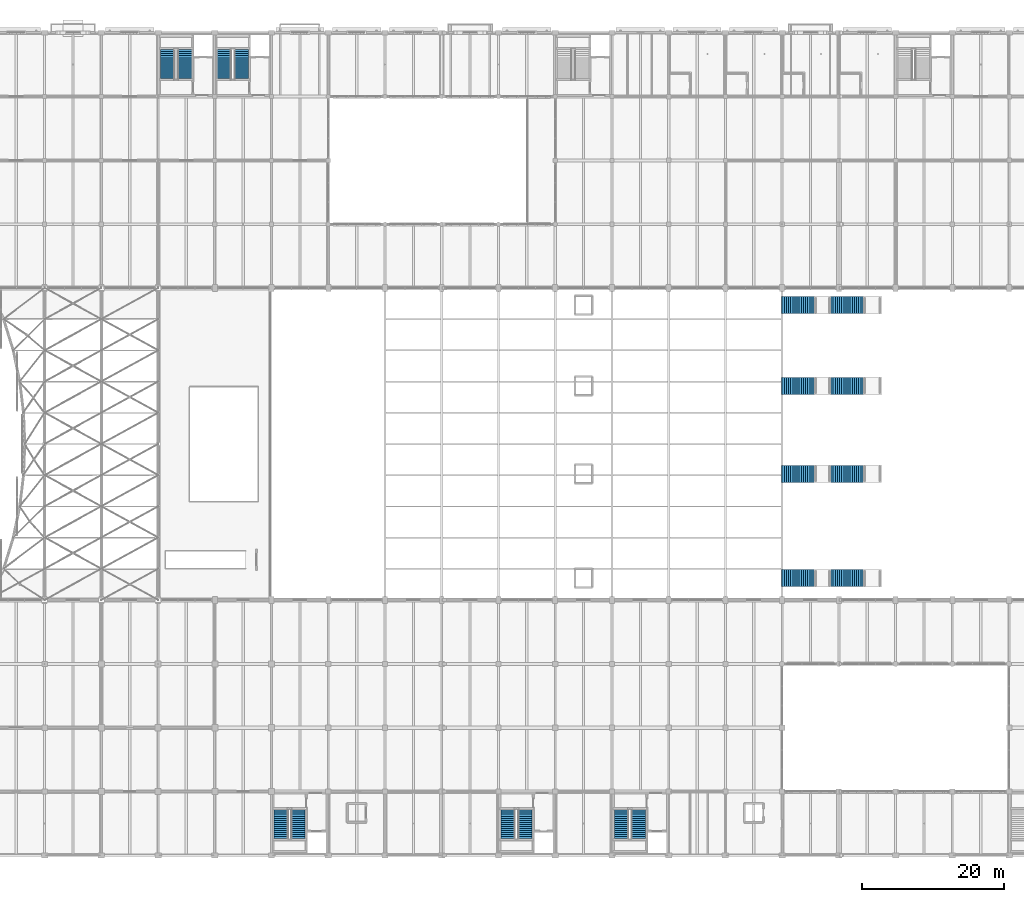
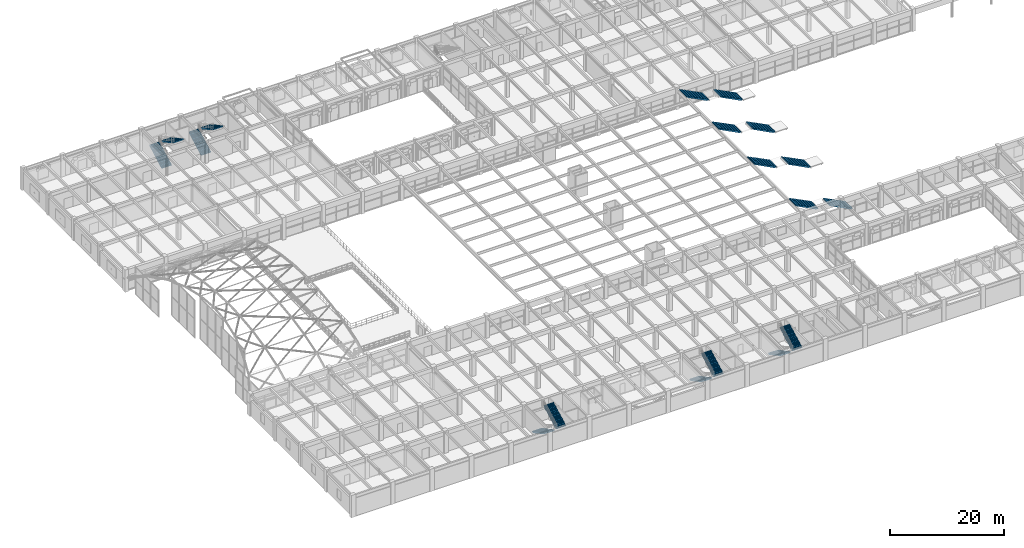
# One storey, part 114 of 144: 18 stair flights, 9 elements without a shape of their own.
"""IFC4 building model written with IfcOpenShell, lengths in metres."""

import ifcopenshell
import ifcopenshell.guid

model = None  # the IFC model being written
_history = None  # IfcOwnerHistory: only IFC2X3 demands one
_inside = {}  # id of a spatial element -> (the spatial element, [elements in it])
_under = {}  # id of a project, library or spatial element -> (it, [spatial elements below it])
_declared = {}  # id of a project -> (the project, [libraries it declares])
_typed = {}  # id of a type object -> (the type object, [elements of that type])
_made_of = {}  # id of a material, layer set ... -> (it, [elements and type objects made of it])


def new_model(schema):
    """Start an empty IFC model of exactly this schema.

    Asked for "IFC4X3", IfcOpenShell would pick the latest addendum, in which some entities
    have other attributes; the version numbers below select the first issue.
    IFC2X3 requires an IfcOwnerHistory on every rooted entity: one is made here for all.
    """
    global model, _history
    if schema == "IFC4X3":
        model = ifcopenshell.file(schema_version=(4, 3, 0, 0))
    else:
        model = ifcopenshell.file(schema=schema)
    _inside.clear()
    _under.clear()
    _declared.clear()
    _typed.clear()
    _made_of.clear()
    _history = None
    if model.schema == "IFC2X3":
        org = make("IfcOrganization", Name="unknown")
        user = make(
            "IfcPersonAndOrganization",
            ThePerson=make("IfcPerson", FamilyName="unknown"),
            TheOrganization=org,
        )
        app = make(
            "IfcApplication",
            ApplicationDeveloper=org,
            Version="unknown",
            ApplicationFullName="unknown",
            ApplicationIdentifier="unknown",
        )
        _history = make(
            "IfcOwnerHistory",
            OwningUser=user,
            OwningApplication=app,
            ChangeAction="ADDED",
            CreationDate=0,
        )
    return model


def make(cls, **values):
    """One entity of the class cls with the attributes given. An attribute that is None is left unset."""
    return model.create_entity(
        cls, **{name: value for name, value in values.items() if value is not None}
    )


def rooted(cls, **values):
    """An entity with a GlobalId (a new one), such as an element, a storey or a relation."""
    return make(cls, GlobalId=ifcopenshell.guid.new(), OwnerHistory=_history, **values)


def si_unit(unit_type, name, prefix=None):
    """IfcSIUnit, for example si_unit("LENGTHUNIT", "METRE", prefix="MILLI")."""
    return make("IfcSIUnit", UnitType=unit_type, Prefix=prefix, Name=name)


def assignment(units):
    """IfcUnitAssignment: the units of a project."""
    return None if units is None else make("IfcUnitAssignment", Units=units)


def point(xyz):
    """IfcCartesianPoint."""
    return None if xyz is None else make("IfcCartesianPoint", Coordinates=xyz)


def direction(xyz):
    """IfcDirection."""
    return None if xyz is None else make("IfcDirection", DirectionRatios=xyz)


def frame(location, z_axis=None, x_axis=None):
    """IfcAxis2Placement3D, a coordinate frame: its origin and axes. An axis left out is left unset."""
    return make(
        "IfcAxis2Placement3D",
        Location=point(location),
        Axis=direction(z_axis),
        RefDirection=direction(x_axis),
    )


def origin():
    """The frame at (0, 0, 0) with its axes left unset."""
    return frame((0.0, 0.0, 0.0))


def place(relative_to, where):
    """IfcLocalPlacement: puts the frame where relative to a parent placement (None: the world)."""
    return make(
        "IfcLocalPlacement", PlacementRelTo=relative_to, RelativePlacement=where
    )


def context(
    kind, dimensions, precision=None, world=None, true_north=None, identifier=None
):
    """IfcGeometricRepresentationContext, for example the 3D "Model" context."""
    return make(
        "IfcGeometricRepresentationContext",
        ContextIdentifier=identifier,
        ContextType=kind,
        CoordinateSpaceDimension=dimensions,
        Precision=precision,
        WorldCoordinateSystem=world,
        TrueNorth=true_north,
    )


def subcontext(parent, identifier, kind, view, scale=None):
    """IfcGeometricRepresentationSubContext, for example "Body" below "Model"."""
    return make(
        "IfcGeometricRepresentationSubContext",
        ContextIdentifier=identifier,
        ContextType=kind,
        ParentContext=parent,
        TargetScale=scale,
        TargetView=view,
    )


def project(units=None, contexts=None):
    """IfcProject with its units and contexts."""
    return rooted(
        "IfcProject",
        Name="project",
        RepresentationContexts=contexts,
        UnitsInContext=assignment(units),
    )


def spatial(cls, under=None, at=None, **own):
    """A site, building, storey or space (cls), placed at a placement, below another one or the project."""
    s = rooted(cls, ObjectPlacement=at, **own)
    if under is not None:
        _under.setdefault(under.id(), (under, []))[1].append(s)
    return s


def polyline(points):
    """IfcPolyline through the points."""
    return make("IfcPolyline", Points=[point(p) for p in points])


def outline(outer, holes=None, kind="AREA"):
    """IfcArbitraryClosedProfileDef: a profile drawn as a closed curve; with holes, ...WithVoids."""
    if holes is None:
        return make("IfcArbitraryClosedProfileDef", ProfileType=kind, OuterCurve=outer)
    return make(
        "IfcArbitraryProfileDefWithVoids",
        ProfileType=kind,
        OuterCurve=outer,
        InnerCurves=holes,
    )


def extrude(swept, where, along, depth):
    """IfcExtrudedAreaSolid: the profile swept, set in the frame where, extruded along a direction by depth."""
    return make(
        "IfcExtrudedAreaSolid",
        SweptArea=swept,
        Position=where,
        ExtrudedDirection=direction(along),
        Depth=depth,
    )


def shape(context_of_items, identifier, shape_type, items):
    """IfcShapeRepresentation: the items that make up one representation, for example the "Body"."""
    return make(
        "IfcShapeRepresentation",
        ContextOfItems=context_of_items,
        RepresentationIdentifier=identifier,
        RepresentationType=shape_type,
        Items=items,
    )


def material(Name=None, Category=None):
    """IfcMaterial."""
    return make("IfcMaterial", Name=Name, Category=Category)


def made_of(thing, what):
    """Note that an element or type object is made of a material, layer set ...; save() writes the relation."""
    if what is not None:
        _made_of.setdefault(what.id(), (what, []))[1].append(thing)
    return thing


def type_object(cls, material=None, **own):
    """A type object (cls), such as IfcWallType, which elements share."""
    return made_of(rooted(cls, **own), material)


def element(
    cls,
    number,
    at=None,
    inside=None,
    cuts=None,
    type_object=None,
    material=None,
    context=None,
    identifier="Body",
    shape_type=None,
    held_by="IfcProductDefinitionShape",
    body=None,
    shapes=None,
    **own,
):
    """One element of the class cls, such as IfcWall. Its Tag is "e" and its number.

    at: its placement. inside: the storey or other place that contains it. cuts: it is an
    opening in that element (IfcRelVoidsElement). A single representation is given by context,
    identifier, shape_type and body (its items); several are given by shapes. held_by: the class
    of the entity that holds the representations. save() writes the other relations.
    """
    e = rooted(cls, Tag="e%d" % number, ObjectPlacement=at, **own)
    if body is not None:
        shapes = [shape(context, identifier, shape_type, body)]
    if shapes is not None:
        e.Representation = make(held_by, Representations=shapes)
    if inside is not None:
        _inside.setdefault(inside.id(), (inside, []))[1].append(e)
    if cuts is not None:
        rooted(
            "IfcRelVoidsElement", RelatingBuildingElement=cuts, RelatedOpeningElement=e
        )
    if type_object is not None:
        _typed.setdefault(type_object.id(), (type_object, []))[1].append(e)
    return made_of(e, material)


def aggregate(whole, parts):
    """IfcRelAggregates: a whole, such as a stair, and the parts it consists of."""
    return rooted("IfcRelAggregates", RelatingObject=whole, RelatedObjects=parts)


def save(model, path):
    """Write the relations noted so far, then the file.

    IfcRelAggregates (storeys below a building ...), IfcRelContainedInSpatialStructure (elements
    in a storey), IfcRelDefinesByType, IfcRelAssociatesMaterial and IfcRelDeclares: one each for
    every whole, place, type object, material and project.
    """
    for whole, parts in _under.values():
        aggregate(whole, parts)
    for where, things in _inside.values():
        rooted(
            "IfcRelContainedInSpatialStructure",
            RelatedElements=things,
            RelatingStructure=where,
        )
    for kind, things in _typed.values():
        rooted("IfcRelDefinesByType", RelatedObjects=things, RelatingType=kind)
    for what, things in _made_of.values():
        rooted("IfcRelAssociatesMaterial", RelatedObjects=things, RelatingMaterial=what)
    for by, libraries in _declared.values():
        rooted("IfcRelDeclares", RelatingContext=by, RelatedDefinitions=libraries)
    model.write(path)


model = new_model("IFC4")

# Units and contexts
model_context = context("Model", 3, precision=1e-05, world=origin(), true_north=direction((0.0, 1.0)))
body_context = subcontext(model_context, "Body", "Model", "MODEL_VIEW")
ifc_project = project(units=[si_unit("LENGTHUNIT", "METRE"), si_unit("AREAUNIT", "SQUARE_METRE"), si_unit("VOLUMEUNIT", "CUBIC_METRE"), si_unit("PLANEANGLEUNIT", "RADIAN"), si_unit("MASSUNIT", "GRAM", prefix="KILO")], contexts=[model_context])

# Site, building, storey
site_placement = place(None, origin())
site = spatial("IfcSite", under=ifc_project, at=site_placement, CompositionType="ELEMENT")
building_placement = place(site_placement, origin())
building = spatial("IfcBuilding", under=site, at=building_placement, Name="Varnabhumi Central Station", CompositionType="ELEMENT")
storey_placement = place(building_placement, frame((0.0, 0.0, 4.800048828125)))
storey = spatial("IfcBuildingStorey", under=building, at=storey_placement, Name="L01", CompositionType="ELEMENT", Elevation=4.800048828125)

# Stair, stair flights
ifc_material = material(Name="Concrete M40", Category="concrete")
stair_type_1 = type_object("IfcStairType", Name="STR-CORE-4800", PredefinedType="DOUBLE_RETURN_STAIR", material=ifc_material)
stair_1_placement = place(storey_placement, origin())
stair_1 = element("IfcStair", 1, at=stair_1_placement, inside=storey, type_object=stair_type_1, Name="Core Stair ST-N1 (L01)", PredefinedType="DOUBLE_RETURN_STAIR")
stair_flight_type_1 = type_object("IfcStairFlightType", Name="FLT-CORE-1500", PredefinedType="STRAIGHT", material=ifc_material)
stair_flight_1_placement = place(storey_placement, frame((25.35009765625, 109.340087890625, 0.0), z_axis=(0.0, 0.0, 1.0), x_axis=(0.0, 1.0, 0.0)))
stair_flight_1 = element("IfcStairFlight", 2, at=stair_flight_1_placement, type_object=stair_flight_type_1, Name="ST-N1 L01 Lower Flight", NumberOfRisers=16, NumberOfTreads=15, PredefinedType="STRAIGHT", RiserHeight=0.15, TreadLength=0.285, context=body_context, shape_type="SweptSolid", body=[
    extrude(outline(polyline([(-0.06005859375, -0.080078125), (-0.06005859375, 0.0), (0.0, 0.0), (0.0, 0.14990234375), (0.284912109375, 0.14990234375), (0.284912109375, 0.300048828125), (0.570068359375, 0.300048828125), (0.570068359375, 0.449951171875), (0.85498046875, 0.449951171875), (0.85498046875, 0.60009765625), (1.139892578125, 0.60009765625), (1.139892578125, 0.75), (1.425048828125, 0.75), (1.425048828125, 0.89990234375), (1.7099609375, 0.89990234375), (1.7099609375, 1.050048828125), (1.9951171875, 1.050048828125), (1.9951171875, 1.199951171875), (2.280029296875, 1.199951171875), (2.280029296875, 1.35009765625), (2.56494140625, 1.35009765625), (2.56494140625, 1.5), (2.85009765625, 1.5), (2.85009765625, 1.64990234375), (3.135009765625, 1.64990234375), (3.135009765625, 1.800048828125), (3.419921875, 1.800048828125), (3.419921875, 1.949951171875), (3.705078125, 1.949951171875), (3.705078125, 2.10009765625), (3.989990234375, 2.10009765625), (3.989990234375, 2.25), (4.27490234375, 2.25), (4.27490234375, 2.39990234375), (4.3349609375, 2.39990234375), (4.3349609375, 2.239990234375), (4.27490234375, 2.0693359375), (0.34326171875, -0.080078125), (-0.06005859375, -0.080078125)])), frame((0.0, 1.0, 0.0), z_axis=(0.0, -1.0, 0.0), x_axis=(1.0, 0.0, 0.0)), (0.0, 0.0, 1.0), 2.0),
])
stair_flight_2_placement = place(storey_placement, frame((27.75, 113.614990234375, 2.39990234375), z_axis=(0.0, 0.0, 1.0), x_axis=(0.0, -1.0, 0.0)))
stair_flight_2 = element("IfcStairFlight", 3, at=stair_flight_2_placement, type_object=stair_flight_type_1, Name="ST-N1 L01 Upper Flight", NumberOfRisers=16, NumberOfTreads=15, PredefinedType="STRAIGHT", RiserHeight=0.15, TreadLength=0.285, context=body_context, shape_type="SweptSolid", body=[
    extrude(outline(polyline([(-0.06005859375, -0.080078125), (-0.06005859375, 0.0), (0.0, 0.0), (0.0, 0.14990234375), (0.284912109375, 0.14990234375), (0.284912109375, 0.300048828125), (0.570068359375, 0.300048828125), (0.570068359375, 0.449951171875), (0.85498046875, 0.449951171875), (0.85498046875, 0.60009765625), (1.139892578125, 0.60009765625), (1.139892578125, 0.75), (1.425048828125, 0.75), (1.425048828125, 0.89990234375), (1.7099609375, 0.89990234375), (1.7099609375, 1.050048828125), (1.9951171875, 1.050048828125), (1.9951171875, 1.199951171875), (2.280029296875, 1.199951171875), (2.280029296875, 1.35009765625), (2.56494140625, 1.35009765625), (2.56494140625, 1.5), (2.85009765625, 1.5), (2.85009765625, 1.64990234375), (3.135009765625, 1.64990234375), (3.135009765625, 1.800048828125), (3.419921875, 1.800048828125), (3.419921875, 1.949951171875), (3.705078125, 1.949951171875), (3.705078125, 2.10009765625), (3.989990234375, 2.10009765625), (3.989990234375, 2.25), (4.27490234375, 2.25), (4.27490234375, 2.39990234375), (4.3349609375, 2.39990234375), (4.3349609375, 2.239990234375), (4.27490234375, 2.0693359375), (0.34326171875, -0.080078125), (-0.06005859375, -0.080078125)])), frame((0.0, 1.0, 0.0), z_axis=(0.0, -1.0, 0.0), x_axis=(1.0, 0.0, 0.0)), (0.0, 0.0, 1.0), 2.0),
])
aggregate(stair_1, [stair_flight_1, stair_flight_2])

stair_2_placement = place(storey_placement, origin())
stair_2 = element("IfcStair", 4, at=stair_2_placement, inside=storey, type_object=stair_type_1, Name="Core Stair ST-S1 (L01)", PredefinedType="DOUBLE_RETURN_STAIR")
stair_flight_3_placement = place(storey_placement, frame((41.35009765625, 6.659912109375, 0.0), z_axis=(0.0, 0.0, 1.0), x_axis=(0.0, -1.0, 0.0)))
stair_flight_3 = element("IfcStairFlight", 5, at=stair_flight_3_placement, type_object=stair_flight_type_1, Name="ST-S1 L01 Lower Flight", NumberOfRisers=16, NumberOfTreads=15, PredefinedType="STRAIGHT", RiserHeight=0.15, TreadLength=0.285, context=body_context, shape_type="SweptSolid", body=[
    extrude(outline(polyline([(-0.06005859375, -0.080078125), (-0.06005859375, 0.0), (0.0, 0.0), (0.0, 0.14990234375), (0.284912109375, 0.14990234375), (0.284912109375, 0.300048828125), (0.570068359375, 0.300048828125), (0.570068359375, 0.449951171875), (0.85498046875, 0.449951171875), (0.85498046875, 0.60009765625), (1.139892578125, 0.60009765625), (1.139892578125, 0.75), (1.425048828125, 0.75), (1.425048828125, 0.89990234375), (1.7099609375, 0.89990234375), (1.7099609375, 1.050048828125), (1.9951171875, 1.050048828125), (1.9951171875, 1.199951171875), (2.280029296875, 1.199951171875), (2.280029296875, 1.35009765625), (2.56494140625, 1.35009765625), (2.56494140625, 1.5), (2.85009765625, 1.5), (2.85009765625, 1.64990234375), (3.135009765625, 1.64990234375), (3.135009765625, 1.800048828125), (3.419921875, 1.800048828125), (3.419921875, 1.949951171875), (3.705078125, 1.949951171875), (3.705078125, 2.10009765625), (3.989990234375, 2.10009765625), (3.989990234375, 2.25), (4.27490234375, 2.25), (4.27490234375, 2.39990234375), (4.3349609375, 2.39990234375), (4.3349609375, 2.239990234375), (4.27490234375, 2.0693359375), (0.34326171875, -0.080078125), (-0.06005859375, -0.080078125)])), frame((0.0, 1.0, 0.0), z_axis=(0.0, -1.0, 0.0), x_axis=(1.0, 0.0, 0.0)), (0.0, 0.0, 1.0), 2.0),
])
stair_flight_4_placement = place(storey_placement, frame((43.75, 2.385009765625, 2.39990234375), z_axis=(0.0, 0.0, 1.0), x_axis=(0.0, 1.0, 0.0)))
stair_flight_4 = element("IfcStairFlight", 6, at=stair_flight_4_placement, type_object=stair_flight_type_1, Name="ST-S1 L01 Upper Flight", NumberOfRisers=16, NumberOfTreads=15, PredefinedType="STRAIGHT", RiserHeight=0.15, TreadLength=0.285, context=body_context, shape_type="SweptSolid", body=[
    extrude(outline(polyline([(-0.06005859375, -0.080078125), (-0.06005859375, 0.0), (0.0, 0.0), (0.0, 0.14990234375), (0.284912109375, 0.14990234375), (0.284912109375, 0.300048828125), (0.570068359375, 0.300048828125), (0.570068359375, 0.449951171875), (0.85498046875, 0.449951171875), (0.85498046875, 0.60009765625), (1.139892578125, 0.60009765625), (1.139892578125, 0.75), (1.425048828125, 0.75), (1.425048828125, 0.89990234375), (1.7099609375, 0.89990234375), (1.7099609375, 1.050048828125), (1.9951171875, 1.050048828125), (1.9951171875, 1.199951171875), (2.280029296875, 1.199951171875), (2.280029296875, 1.35009765625), (2.56494140625, 1.35009765625), (2.56494140625, 1.5), (2.85009765625, 1.5), (2.85009765625, 1.64990234375), (3.135009765625, 1.64990234375), (3.135009765625, 1.800048828125), (3.419921875, 1.800048828125), (3.419921875, 1.949951171875), (3.705078125, 1.949951171875), (3.705078125, 2.10009765625), (3.989990234375, 2.10009765625), (3.989990234375, 2.25), (4.27490234375, 2.25), (4.27490234375, 2.39990234375), (4.3349609375, 2.39990234375), (4.3349609375, 2.239990234375), (4.27490234375, 2.0693359375), (0.34326171875, -0.080078125), (-0.06005859375, -0.080078125)])), frame((0.0, 1.0, 0.0), z_axis=(0.0, -1.0, 0.0), x_axis=(1.0, 0.0, 0.0)), (0.0, 0.0, 1.0), 2.0),
])
aggregate(stair_2, [stair_flight_3, stair_flight_4])

stair_3_placement = place(storey_placement, origin())
stair_3 = element("IfcStair", 7, at=stair_3_placement, inside=storey, type_object=stair_type_1, Name="Core Stair ST-S2 (L01)", PredefinedType="DOUBLE_RETURN_STAIR")
stair_flight_5_placement = place(storey_placement, frame((89.35009765625, 6.659912109375, 0.0), z_axis=(0.0, 0.0, 1.0), x_axis=(0.0, -1.0, 0.0)))
stair_flight_5 = element("IfcStairFlight", 8, at=stair_flight_5_placement, type_object=stair_flight_type_1, Name="ST-S2 L01 Lower Flight", NumberOfRisers=16, NumberOfTreads=15, PredefinedType="STRAIGHT", RiserHeight=0.15, TreadLength=0.285, context=body_context, shape_type="SweptSolid", body=[
    extrude(outline(polyline([(-0.06005859375, -0.080078125), (-0.06005859375, 0.0), (0.0, 0.0), (0.0, 0.14990234375), (0.284912109375, 0.14990234375), (0.284912109375, 0.300048828125), (0.570068359375, 0.300048828125), (0.570068359375, 0.449951171875), (0.85498046875, 0.449951171875), (0.85498046875, 0.60009765625), (1.139892578125, 0.60009765625), (1.139892578125, 0.75), (1.425048828125, 0.75), (1.425048828125, 0.89990234375), (1.7099609375, 0.89990234375), (1.7099609375, 1.050048828125), (1.9951171875, 1.050048828125), (1.9951171875, 1.199951171875), (2.280029296875, 1.199951171875), (2.280029296875, 1.35009765625), (2.56494140625, 1.35009765625), (2.56494140625, 1.5), (2.85009765625, 1.5), (2.85009765625, 1.64990234375), (3.135009765625, 1.64990234375), (3.135009765625, 1.800048828125), (3.419921875, 1.800048828125), (3.419921875, 1.949951171875), (3.705078125, 1.949951171875), (3.705078125, 2.10009765625), (3.989990234375, 2.10009765625), (3.989990234375, 2.25), (4.27490234375, 2.25), (4.27490234375, 2.39990234375), (4.3349609375, 2.39990234375), (4.3349609375, 2.239990234375), (4.27490234375, 2.0693359375), (0.34326171875, -0.080078125), (-0.06005859375, -0.080078125)])), frame((0.0, 1.0, 0.0), z_axis=(0.0, -1.0, 0.0), x_axis=(1.0, 0.0, 0.0)), (0.0, 0.0, 1.0), 2.0),
])
stair_flight_6_placement = place(storey_placement, frame((91.75, 2.385009765625, 2.39990234375), z_axis=(0.0, 0.0, 1.0), x_axis=(0.0, 1.0, 0.0)))
stair_flight_6 = element("IfcStairFlight", 9, at=stair_flight_6_placement, type_object=stair_flight_type_1, Name="ST-S2 L01 Upper Flight", NumberOfRisers=16, NumberOfTreads=15, PredefinedType="STRAIGHT", RiserHeight=0.15, TreadLength=0.285, context=body_context, shape_type="SweptSolid", body=[
    extrude(outline(polyline([(-0.06005859375, -0.080078125), (-0.06005859375, 0.0), (0.0, 0.0), (0.0, 0.14990234375), (0.284912109375, 0.14990234375), (0.284912109375, 0.300048828125), (0.570068359375, 0.300048828125), (0.570068359375, 0.449951171875), (0.85498046875, 0.449951171875), (0.85498046875, 0.60009765625), (1.139892578125, 0.60009765625), (1.139892578125, 0.75), (1.425048828125, 0.75), (1.425048828125, 0.89990234375), (1.7099609375, 0.89990234375), (1.7099609375, 1.050048828125), (1.9951171875, 1.050048828125), (1.9951171875, 1.199951171875), (2.280029296875, 1.199951171875), (2.280029296875, 1.35009765625), (2.56494140625, 1.35009765625), (2.56494140625, 1.5), (2.85009765625, 1.5), (2.85009765625, 1.64990234375), (3.135009765625, 1.64990234375), (3.135009765625, 1.800048828125), (3.419921875, 1.800048828125), (3.419921875, 1.949951171875), (3.705078125, 1.949951171875), (3.705078125, 2.10009765625), (3.989990234375, 2.10009765625), (3.989990234375, 2.25), (4.27490234375, 2.25), (4.27490234375, 2.39990234375), (4.3349609375, 2.39990234375), (4.3349609375, 2.239990234375), (4.27490234375, 2.0693359375), (0.34326171875, -0.080078125), (-0.06005859375, -0.080078125)])), frame((0.0, 1.0, 0.0), z_axis=(0.0, -1.0, 0.0), x_axis=(1.0, 0.0, 0.0)), (0.0, 0.0, 1.0), 2.0),
])
aggregate(stair_3, [stair_flight_5, stair_flight_6])

stair_4_placement = place(storey_placement, origin())
stair_4 = element("IfcStair", 10, at=stair_4_placement, inside=storey, type_object=stair_type_1, Name="Core Stair ST-N4 (L01)", PredefinedType="DOUBLE_RETURN_STAIR")
stair_flight_7_placement = place(storey_placement, frame((33.35009765625, 109.340087890625, 0.0), z_axis=(0.0, 0.0, 1.0), x_axis=(0.0, 1.0, 0.0)))
stair_flight_7 = element("IfcStairFlight", 11, at=stair_flight_7_placement, type_object=stair_flight_type_1, Name="ST-N4 L01 Lower Flight", NumberOfRisers=16, NumberOfTreads=15, PredefinedType="STRAIGHT", RiserHeight=0.15, TreadLength=0.285, context=body_context, shape_type="SweptSolid", body=[
    extrude(outline(polyline([(-0.06005859375, -0.080078125), (-0.06005859375, 0.0), (0.0, 0.0), (0.0, 0.14990234375), (0.284912109375, 0.14990234375), (0.284912109375, 0.300048828125), (0.570068359375, 0.300048828125), (0.570068359375, 0.449951171875), (0.85498046875, 0.449951171875), (0.85498046875, 0.60009765625), (1.139892578125, 0.60009765625), (1.139892578125, 0.75), (1.425048828125, 0.75), (1.425048828125, 0.89990234375), (1.7099609375, 0.89990234375), (1.7099609375, 1.050048828125), (1.9951171875, 1.050048828125), (1.9951171875, 1.199951171875), (2.280029296875, 1.199951171875), (2.280029296875, 1.35009765625), (2.56494140625, 1.35009765625), (2.56494140625, 1.5), (2.85009765625, 1.5), (2.85009765625, 1.64990234375), (3.135009765625, 1.64990234375), (3.135009765625, 1.800048828125), (3.419921875, 1.800048828125), (3.419921875, 1.949951171875), (3.705078125, 1.949951171875), (3.705078125, 2.10009765625), (3.989990234375, 2.10009765625), (3.989990234375, 2.25), (4.27490234375, 2.25), (4.27490234375, 2.39990234375), (4.3349609375, 2.39990234375), (4.3349609375, 2.239990234375), (4.27490234375, 2.0693359375), (0.34326171875, -0.080078125), (-0.06005859375, -0.080078125)])), frame((0.0, 1.0, 0.0), z_axis=(0.0, -1.0, 0.0), x_axis=(1.0, 0.0, 0.0)), (0.0, 0.0, 1.0), 2.0),
])
stair_flight_8_placement = place(storey_placement, frame((35.75, 113.614990234375, 2.39990234375), z_axis=(0.0, 0.0, 1.0), x_axis=(0.0, -1.0, 0.0)))
stair_flight_8 = element("IfcStairFlight", 12, at=stair_flight_8_placement, type_object=stair_flight_type_1, Name="ST-N4 L01 Upper Flight", NumberOfRisers=16, NumberOfTreads=15, PredefinedType="STRAIGHT", RiserHeight=0.15, TreadLength=0.285, context=body_context, shape_type="SweptSolid", body=[
    extrude(outline(polyline([(-0.06005859375, -0.080078125), (-0.06005859375, 0.0), (0.0, 0.0), (0.0, 0.14990234375), (0.284912109375, 0.14990234375), (0.284912109375, 0.300048828125), (0.570068359375, 0.300048828125), (0.570068359375, 0.449951171875), (0.85498046875, 0.449951171875), (0.85498046875, 0.60009765625), (1.139892578125, 0.60009765625), (1.139892578125, 0.75), (1.425048828125, 0.75), (1.425048828125, 0.89990234375), (1.7099609375, 0.89990234375), (1.7099609375, 1.050048828125), (1.9951171875, 1.050048828125), (1.9951171875, 1.199951171875), (2.280029296875, 1.199951171875), (2.280029296875, 1.35009765625), (2.56494140625, 1.35009765625), (2.56494140625, 1.5), (2.85009765625, 1.5), (2.85009765625, 1.64990234375), (3.135009765625, 1.64990234375), (3.135009765625, 1.800048828125), (3.419921875, 1.800048828125), (3.419921875, 1.949951171875), (3.705078125, 1.949951171875), (3.705078125, 2.10009765625), (3.989990234375, 2.10009765625), (3.989990234375, 2.25), (4.27490234375, 2.25), (4.27490234375, 2.39990234375), (4.3349609375, 2.39990234375), (4.3349609375, 2.239990234375), (4.27490234375, 2.0693359375), (0.34326171875, -0.080078125), (-0.06005859375, -0.080078125)])), frame((0.0, 1.0, 0.0), z_axis=(0.0, -1.0, 0.0), x_axis=(1.0, 0.0, 0.0)), (0.0, 0.0, 1.0), 2.0),
])
aggregate(stair_4, [stair_flight_7, stair_flight_8])

stair_5_placement = place(storey_placement, origin())
stair_5 = element("IfcStair", 13, at=stair_5_placement, inside=storey, type_object=stair_type_1, Name="Core Stair ST-S4 (L01)", PredefinedType="DOUBLE_RETURN_STAIR")
stair_flight_9_placement = place(storey_placement, frame((73.35009765625, 6.659912109375, 0.0), z_axis=(0.0, 0.0, 1.0), x_axis=(0.0, -1.0, 0.0)))
stair_flight_9 = element("IfcStairFlight", 14, at=stair_flight_9_placement, type_object=stair_flight_type_1, Name="ST-S4 L01 Lower Flight", NumberOfRisers=16, NumberOfTreads=15, PredefinedType="STRAIGHT", RiserHeight=0.15, TreadLength=0.285, context=body_context, shape_type="SweptSolid", body=[
    extrude(outline(polyline([(-0.06005859375, -0.080078125), (-0.06005859375, 0.0), (0.0, 0.0), (0.0, 0.14990234375), (0.284912109375, 0.14990234375), (0.284912109375, 0.300048828125), (0.570068359375, 0.300048828125), (0.570068359375, 0.449951171875), (0.85498046875, 0.449951171875), (0.85498046875, 0.60009765625), (1.139892578125, 0.60009765625), (1.139892578125, 0.75), (1.425048828125, 0.75), (1.425048828125, 0.89990234375), (1.7099609375, 0.89990234375), (1.7099609375, 1.050048828125), (1.9951171875, 1.050048828125), (1.9951171875, 1.199951171875), (2.280029296875, 1.199951171875), (2.280029296875, 1.35009765625), (2.56494140625, 1.35009765625), (2.56494140625, 1.5), (2.85009765625, 1.5), (2.85009765625, 1.64990234375), (3.135009765625, 1.64990234375), (3.135009765625, 1.800048828125), (3.419921875, 1.800048828125), (3.419921875, 1.949951171875), (3.705078125, 1.949951171875), (3.705078125, 2.10009765625), (3.989990234375, 2.10009765625), (3.989990234375, 2.25), (4.27490234375, 2.25), (4.27490234375, 2.39990234375), (4.3349609375, 2.39990234375), (4.3349609375, 2.239990234375), (4.27490234375, 2.0693359375), (0.34326171875, -0.080078125), (-0.06005859375, -0.080078125)])), frame((0.0, 1.0, 0.0), z_axis=(0.0, -1.0, 0.0), x_axis=(1.0, 0.0, 0.0)), (0.0, 0.0, 1.0), 2.0),
])
stair_flight_10_placement = place(storey_placement, frame((75.75, 2.385009765625, 2.39990234375), z_axis=(0.0, 0.0, 1.0), x_axis=(0.0, 1.0, 0.0)))
stair_flight_10 = element("IfcStairFlight", 15, at=stair_flight_10_placement, type_object=stair_flight_type_1, Name="ST-S4 L01 Upper Flight", NumberOfRisers=16, NumberOfTreads=15, PredefinedType="STRAIGHT", RiserHeight=0.15, TreadLength=0.285, context=body_context, shape_type="SweptSolid", body=[
    extrude(outline(polyline([(-0.06005859375, -0.080078125), (-0.06005859375, 0.0), (0.0, 0.0), (0.0, 0.14990234375), (0.284912109375, 0.14990234375), (0.284912109375, 0.300048828125), (0.570068359375, 0.300048828125), (0.570068359375, 0.449951171875), (0.85498046875, 0.449951171875), (0.85498046875, 0.60009765625), (1.139892578125, 0.60009765625), (1.139892578125, 0.75), (1.425048828125, 0.75), (1.425048828125, 0.89990234375), (1.7099609375, 0.89990234375), (1.7099609375, 1.050048828125), (1.9951171875, 1.050048828125), (1.9951171875, 1.199951171875), (2.280029296875, 1.199951171875), (2.280029296875, 1.35009765625), (2.56494140625, 1.35009765625), (2.56494140625, 1.5), (2.85009765625, 1.5), (2.85009765625, 1.64990234375), (3.135009765625, 1.64990234375), (3.135009765625, 1.800048828125), (3.419921875, 1.800048828125), (3.419921875, 1.949951171875), (3.705078125, 1.949951171875), (3.705078125, 2.10009765625), (3.989990234375, 2.10009765625), (3.989990234375, 2.25), (4.27490234375, 2.25), (4.27490234375, 2.39990234375), (4.3349609375, 2.39990234375), (4.3349609375, 2.239990234375), (4.27490234375, 2.0693359375), (0.34326171875, -0.080078125), (-0.06005859375, -0.080078125)])), frame((0.0, 1.0, 0.0), z_axis=(0.0, -1.0, 0.0), x_axis=(1.0, 0.0, 0.0)), (0.0, 0.0, 1.0), 2.0),
])
aggregate(stair_5, [stair_flight_9, stair_flight_10])

stair_type_2 = type_object("IfcStairType", Name="STR-PLAT-4800", PredefinedType="TWO_STRAIGHT_RUN_STAIR", material=ifc_material)
stair_6_placement = place(storey_placement, origin())
stair_6 = element("IfcStair", 16, at=stair_6_placement, inside=storey, type_object=stair_type_2, Name="Platform 1 Upper Stair (L01-L02)", PredefinedType="TWO_STRAIGHT_RUN_STAIR")
stair_flight_type_2 = type_object("IfcStairFlightType", Name="FLT-PLAT-2200", PredefinedType="STRAIGHT", material=ifc_material)
stair_flight_11_placement = place(storey_placement, frame((123.39990234375, 39.10009765625, 0.0), z_axis=(0.0, 0.0, 1.0), x_axis=(-1.0, 0.0, 0.0)))
stair_flight_11 = element("IfcStairFlight", 17, at=stair_flight_11_placement, type_object=stair_flight_type_2, Name="Platform 1 Upper Stair Flight 1", NumberOfRisers=16, NumberOfTreads=15, PredefinedType="STRAIGHT", RiserHeight=0.15, TreadLength=0.3, context=body_context, shape_type="SweptSolid", body=[
    extrude(outline(polyline([(-0.06005859375, -0.08984375), (-0.06005859375, 0.0), (0.0, 0.0), (0.0, 0.14990234375), (0.300048828125, 0.14990234375), (0.300048828125, 0.300048828125), (0.60009765625, 0.300048828125), (0.60009765625, 0.449951171875), (0.89990234375, 0.449951171875), (0.89990234375, 0.60009765625), (1.199951171875, 0.60009765625), (1.199951171875, 0.75), (1.5, 0.75), (1.5, 0.89990234375), (1.800048828125, 0.89990234375), (1.800048828125, 1.050048828125), (2.10009765625, 1.050048828125), (2.10009765625, 1.199951171875), (2.39990234375, 1.199951171875), (2.39990234375, 1.35009765625), (2.699951171875, 1.35009765625), (2.699951171875, 1.5), (3.0, 1.5), (3.0, 1.64990234375), (3.300048828125, 1.64990234375), (3.300048828125, 1.800048828125), (3.60009765625, 1.800048828125), (3.60009765625, 1.949951171875), (3.89990234375, 1.949951171875), (3.89990234375, 2.10009765625), (4.199951171875, 2.10009765625), (4.199951171875, 2.25), (4.5, 2.25), (4.5, 2.39990234375), (4.56005859375, 2.39990234375), (4.56005859375, 2.219970703125), (4.5, 2.048828125), (0.40234375, -0.08984375), (-0.06005859375, -0.08984375)])), frame((0.0, 1.199951171875, 0.0), z_axis=(0.0, -1.0, 0.0), x_axis=(1.0, 0.0, 0.0)), (0.0, 0.0, 1.0), 2.39990234375),
])
stair_flight_12_placement = place(storey_placement, frame((116.5, 39.10009765625, 2.39990234375), z_axis=(0.0, 0.0, 1.0), x_axis=(-1.0, 0.0, 0.0)))
stair_flight_12 = element("IfcStairFlight", 18, at=stair_flight_12_placement, type_object=stair_flight_type_2, Name="Platform 1 Upper Stair Flight 2", NumberOfRisers=16, NumberOfTreads=15, PredefinedType="STRAIGHT", RiserHeight=0.15, TreadLength=0.3, context=body_context, shape_type="SweptSolid", body=[
    extrude(outline(polyline([(-0.06005859375, -0.08984375), (-0.06005859375, 0.0), (0.0, 0.0), (0.0, 0.14990234375), (0.300048828125, 0.14990234375), (0.300048828125, 0.300048828125), (0.60009765625, 0.300048828125), (0.60009765625, 0.449951171875), (0.89990234375, 0.449951171875), (0.89990234375, 0.60009765625), (1.199951171875, 0.60009765625), (1.199951171875, 0.75), (1.5, 0.75), (1.5, 0.89990234375), (1.800048828125, 0.89990234375), (1.800048828125, 1.050048828125), (2.10009765625, 1.050048828125), (2.10009765625, 1.199951171875), (2.39990234375, 1.199951171875), (2.39990234375, 1.35009765625), (2.699951171875, 1.35009765625), (2.699951171875, 1.5), (3.0, 1.5), (3.0, 1.64990234375), (3.300048828125, 1.64990234375), (3.300048828125, 1.800048828125), (3.60009765625, 1.800048828125), (3.60009765625, 1.949951171875), (3.89990234375, 1.949951171875), (3.89990234375, 2.10009765625), (4.199951171875, 2.10009765625), (4.199951171875, 2.25), (4.5, 2.25), (4.5, 2.39990234375), (4.56005859375, 2.39990234375), (4.56005859375, 2.219970703125), (4.5, 2.048828125), (0.40234375, -0.08984375), (-0.06005859375, -0.08984375)])), frame((0.0, 1.199951171875, 0.0), z_axis=(0.0, -1.0, 0.0), x_axis=(1.0, 0.0, 0.0)), (0.0, 0.0, 1.0), 2.39990234375),
])
aggregate(stair_6, [stair_flight_11, stair_flight_12])

stair_7_placement = place(storey_placement, origin())
stair_7 = element("IfcStair", 19, at=stair_7_placement, inside=storey, type_object=stair_type_2, Name="Platform 2 Upper Stair (L01-L02)", PredefinedType="TWO_STRAIGHT_RUN_STAIR")
stair_flight_13_placement = place(storey_placement, frame((123.39990234375, 53.800048828125, 0.0), z_axis=(0.0, 0.0, 1.0), x_axis=(-1.0, 0.0, 0.0)))
stair_flight_13 = element("IfcStairFlight", 20, at=stair_flight_13_placement, type_object=stair_flight_type_2, Name="Platform 2 Upper Stair Flight 1", NumberOfRisers=16, NumberOfTreads=15, PredefinedType="STRAIGHT", RiserHeight=0.15, TreadLength=0.3, context=body_context, shape_type="SweptSolid", body=[
    extrude(outline(polyline([(-0.06005859375, -0.08984375), (-0.06005859375, 0.0), (0.0, 0.0), (0.0, 0.14990234375), (0.300048828125, 0.14990234375), (0.300048828125, 0.300048828125), (0.60009765625, 0.300048828125), (0.60009765625, 0.449951171875), (0.89990234375, 0.449951171875), (0.89990234375, 0.60009765625), (1.199951171875, 0.60009765625), (1.199951171875, 0.75), (1.5, 0.75), (1.5, 0.89990234375), (1.800048828125, 0.89990234375), (1.800048828125, 1.050048828125), (2.10009765625, 1.050048828125), (2.10009765625, 1.199951171875), (2.39990234375, 1.199951171875), (2.39990234375, 1.35009765625), (2.699951171875, 1.35009765625), (2.699951171875, 1.5), (3.0, 1.5), (3.0, 1.64990234375), (3.300048828125, 1.64990234375), (3.300048828125, 1.800048828125), (3.60009765625, 1.800048828125), (3.60009765625, 1.949951171875), (3.89990234375, 1.949951171875), (3.89990234375, 2.10009765625), (4.199951171875, 2.10009765625), (4.199951171875, 2.25), (4.5, 2.25), (4.5, 2.39990234375), (4.56005859375, 2.39990234375), (4.56005859375, 2.219970703125), (4.5, 2.048828125), (0.40234375, -0.08984375), (-0.06005859375, -0.08984375)])), frame((0.0, 1.199951171875, 0.0), z_axis=(0.0, -1.0, 0.0), x_axis=(1.0, 0.0, 0.0)), (0.0, 0.0, 1.0), 2.39990234375),
])
stair_flight_14_placement = place(storey_placement, frame((116.5, 53.800048828125, 2.39990234375), z_axis=(0.0, 0.0, 1.0), x_axis=(-1.0, 0.0, 0.0)))
stair_flight_14 = element("IfcStairFlight", 21, at=stair_flight_14_placement, type_object=stair_flight_type_2, Name="Platform 2 Upper Stair Flight 2", NumberOfRisers=16, NumberOfTreads=15, PredefinedType="STRAIGHT", RiserHeight=0.15, TreadLength=0.3, context=body_context, shape_type="SweptSolid", body=[
    extrude(outline(polyline([(-0.06005859375, -0.08984375), (-0.06005859375, 0.0), (0.0, 0.0), (0.0, 0.14990234375), (0.300048828125, 0.14990234375), (0.300048828125, 0.300048828125), (0.60009765625, 0.300048828125), (0.60009765625, 0.449951171875), (0.89990234375, 0.449951171875), (0.89990234375, 0.60009765625), (1.199951171875, 0.60009765625), (1.199951171875, 0.75), (1.5, 0.75), (1.5, 0.89990234375), (1.800048828125, 0.89990234375), (1.800048828125, 1.050048828125), (2.10009765625, 1.050048828125), (2.10009765625, 1.199951171875), (2.39990234375, 1.199951171875), (2.39990234375, 1.35009765625), (2.699951171875, 1.35009765625), (2.699951171875, 1.5), (3.0, 1.5), (3.0, 1.64990234375), (3.300048828125, 1.64990234375), (3.300048828125, 1.800048828125), (3.60009765625, 1.800048828125), (3.60009765625, 1.949951171875), (3.89990234375, 1.949951171875), (3.89990234375, 2.10009765625), (4.199951171875, 2.10009765625), (4.199951171875, 2.25), (4.5, 2.25), (4.5, 2.39990234375), (4.56005859375, 2.39990234375), (4.56005859375, 2.219970703125), (4.5, 2.048828125), (0.40234375, -0.08984375), (-0.06005859375, -0.08984375)])), frame((0.0, 1.199951171875, 0.0), z_axis=(0.0, -1.0, 0.0), x_axis=(1.0, 0.0, 0.0)), (0.0, 0.0, 1.0), 2.39990234375),
])
aggregate(stair_7, [stair_flight_13, stair_flight_14])

stair_8_placement = place(storey_placement, origin())
stair_8 = element("IfcStair", 22, at=stair_8_placement, inside=storey, type_object=stair_type_2, Name="Platform 3 Upper Stair (L01-L02)", PredefinedType="TWO_STRAIGHT_RUN_STAIR")
stair_flight_15_placement = place(storey_placement, frame((123.39990234375, 66.199951171875, 0.0), z_axis=(0.0, 0.0, 1.0), x_axis=(-1.0, 0.0, 0.0)))
stair_flight_15 = element("IfcStairFlight", 23, at=stair_flight_15_placement, type_object=stair_flight_type_2, Name="Platform 3 Upper Stair Flight 1", NumberOfRisers=16, NumberOfTreads=15, PredefinedType="STRAIGHT", RiserHeight=0.15, TreadLength=0.3, context=body_context, shape_type="SweptSolid", body=[
    extrude(outline(polyline([(-0.06005859375, -0.08984375), (-0.06005859375, 0.0), (0.0, 0.0), (0.0, 0.14990234375), (0.300048828125, 0.14990234375), (0.300048828125, 0.300048828125), (0.60009765625, 0.300048828125), (0.60009765625, 0.449951171875), (0.89990234375, 0.449951171875), (0.89990234375, 0.60009765625), (1.199951171875, 0.60009765625), (1.199951171875, 0.75), (1.5, 0.75), (1.5, 0.89990234375), (1.800048828125, 0.89990234375), (1.800048828125, 1.050048828125), (2.10009765625, 1.050048828125), (2.10009765625, 1.199951171875), (2.39990234375, 1.199951171875), (2.39990234375, 1.35009765625), (2.699951171875, 1.35009765625), (2.699951171875, 1.5), (3.0, 1.5), (3.0, 1.64990234375), (3.300048828125, 1.64990234375), (3.300048828125, 1.800048828125), (3.60009765625, 1.800048828125), (3.60009765625, 1.949951171875), (3.89990234375, 1.949951171875), (3.89990234375, 2.10009765625), (4.199951171875, 2.10009765625), (4.199951171875, 2.25), (4.5, 2.25), (4.5, 2.39990234375), (4.56005859375, 2.39990234375), (4.56005859375, 2.219970703125), (4.5, 2.048828125), (0.40234375, -0.08984375), (-0.06005859375, -0.08984375)])), frame((0.0, 1.199951171875, 0.0), z_axis=(0.0, -1.0, 0.0), x_axis=(1.0, 0.0, 0.0)), (0.0, 0.0, 1.0), 2.39990234375),
])
stair_flight_16_placement = place(storey_placement, frame((116.5, 66.199951171875, 2.39990234375), z_axis=(0.0, 0.0, 1.0), x_axis=(-1.0, 0.0, 0.0)))
stair_flight_16 = element("IfcStairFlight", 24, at=stair_flight_16_placement, type_object=stair_flight_type_2, Name="Platform 3 Upper Stair Flight 2", NumberOfRisers=16, NumberOfTreads=15, PredefinedType="STRAIGHT", RiserHeight=0.15, TreadLength=0.3, context=body_context, shape_type="SweptSolid", body=[
    extrude(outline(polyline([(-0.06005859375, -0.08984375), (-0.06005859375, 0.0), (0.0, 0.0), (0.0, 0.14990234375), (0.300048828125, 0.14990234375), (0.300048828125, 0.300048828125), (0.60009765625, 0.300048828125), (0.60009765625, 0.449951171875), (0.89990234375, 0.449951171875), (0.89990234375, 0.60009765625), (1.199951171875, 0.60009765625), (1.199951171875, 0.75), (1.5, 0.75), (1.5, 0.89990234375), (1.800048828125, 0.89990234375), (1.800048828125, 1.050048828125), (2.10009765625, 1.050048828125), (2.10009765625, 1.199951171875), (2.39990234375, 1.199951171875), (2.39990234375, 1.35009765625), (2.699951171875, 1.35009765625), (2.699951171875, 1.5), (3.0, 1.5), (3.0, 1.64990234375), (3.300048828125, 1.64990234375), (3.300048828125, 1.800048828125), (3.60009765625, 1.800048828125), (3.60009765625, 1.949951171875), (3.89990234375, 1.949951171875), (3.89990234375, 2.10009765625), (4.199951171875, 2.10009765625), (4.199951171875, 2.25), (4.5, 2.25), (4.5, 2.39990234375), (4.56005859375, 2.39990234375), (4.56005859375, 2.219970703125), (4.5, 2.048828125), (0.40234375, -0.08984375), (-0.06005859375, -0.08984375)])), frame((0.0, 1.199951171875, 0.0), z_axis=(0.0, -1.0, 0.0), x_axis=(1.0, 0.0, 0.0)), (0.0, 0.0, 1.0), 2.39990234375),
])
aggregate(stair_8, [stair_flight_15, stair_flight_16])

stair_9_placement = place(storey_placement, origin())
stair_9 = element("IfcStair", 25, at=stair_9_placement, inside=storey, type_object=stair_type_2, Name="Platform 4 Upper Stair (L01-L02)", PredefinedType="TWO_STRAIGHT_RUN_STAIR")
stair_flight_17_placement = place(storey_placement, frame((123.39990234375, 77.60009765625, 0.0), z_axis=(0.0, 0.0, 1.0), x_axis=(-1.0, 0.0, 0.0)))
stair_flight_17 = element("IfcStairFlight", 26, at=stair_flight_17_placement, type_object=stair_flight_type_2, Name="Platform 4 Upper Stair Flight 1", NumberOfRisers=16, NumberOfTreads=15, PredefinedType="STRAIGHT", RiserHeight=0.15, TreadLength=0.3, context=body_context, shape_type="SweptSolid", body=[
    extrude(outline(polyline([(-0.06005859375, -0.08984375), (-0.06005859375, 0.0), (0.0, 0.0), (0.0, 0.14990234375), (0.300048828125, 0.14990234375), (0.300048828125, 0.300048828125), (0.60009765625, 0.300048828125), (0.60009765625, 0.449951171875), (0.89990234375, 0.449951171875), (0.89990234375, 0.60009765625), (1.199951171875, 0.60009765625), (1.199951171875, 0.75), (1.5, 0.75), (1.5, 0.89990234375), (1.800048828125, 0.89990234375), (1.800048828125, 1.050048828125), (2.10009765625, 1.050048828125), (2.10009765625, 1.199951171875), (2.39990234375, 1.199951171875), (2.39990234375, 1.35009765625), (2.699951171875, 1.35009765625), (2.699951171875, 1.5), (3.0, 1.5), (3.0, 1.64990234375), (3.300048828125, 1.64990234375), (3.300048828125, 1.800048828125), (3.60009765625, 1.800048828125), (3.60009765625, 1.949951171875), (3.89990234375, 1.949951171875), (3.89990234375, 2.10009765625), (4.199951171875, 2.10009765625), (4.199951171875, 2.25), (4.5, 2.25), (4.5, 2.39990234375), (4.56005859375, 2.39990234375), (4.56005859375, 2.219970703125), (4.5, 2.048828125), (0.40234375, -0.08984375), (-0.06005859375, -0.08984375)])), frame((0.0, 1.199951171875, 0.0), z_axis=(0.0, -1.0, 0.0), x_axis=(1.0, 0.0, 0.0)), (0.0, 0.0, 1.0), 2.39990234375),
])
stair_flight_18_placement = place(storey_placement, frame((116.5, 77.60009765625, 2.39990234375), z_axis=(0.0, 0.0, 1.0), x_axis=(-1.0, 0.0, 0.0)))
stair_flight_18 = element("IfcStairFlight", 27, at=stair_flight_18_placement, type_object=stair_flight_type_2, Name="Platform 4 Upper Stair Flight 2", NumberOfRisers=16, NumberOfTreads=15, PredefinedType="STRAIGHT", RiserHeight=0.15, TreadLength=0.3, context=body_context, shape_type="SweptSolid", body=[
    extrude(outline(polyline([(-0.06005859375, -0.08984375), (-0.06005859375, 0.0), (0.0, 0.0), (0.0, 0.14990234375), (0.300048828125, 0.14990234375), (0.300048828125, 0.300048828125), (0.60009765625, 0.300048828125), (0.60009765625, 0.449951171875), (0.89990234375, 0.449951171875), (0.89990234375, 0.60009765625), (1.199951171875, 0.60009765625), (1.199951171875, 0.75), (1.5, 0.75), (1.5, 0.89990234375), (1.800048828125, 0.89990234375), (1.800048828125, 1.050048828125), (2.10009765625, 1.050048828125), (2.10009765625, 1.199951171875), (2.39990234375, 1.199951171875), (2.39990234375, 1.35009765625), (2.699951171875, 1.35009765625), (2.699951171875, 1.5), (3.0, 1.5), (3.0, 1.64990234375), (3.300048828125, 1.64990234375), (3.300048828125, 1.800048828125), (3.60009765625, 1.800048828125), (3.60009765625, 1.949951171875), (3.89990234375, 1.949951171875), (3.89990234375, 2.10009765625), (4.199951171875, 2.10009765625), (4.199951171875, 2.25), (4.5, 2.25), (4.5, 2.39990234375), (4.56005859375, 2.39990234375), (4.56005859375, 2.219970703125), (4.5, 2.048828125), (0.40234375, -0.08984375), (-0.06005859375, -0.08984375)])), frame((0.0, 1.199951171875, 0.0), z_axis=(0.0, -1.0, 0.0), x_axis=(1.0, 0.0, 0.0)), (0.0, 0.0, 1.0), 2.39990234375),
])
aggregate(stair_9, [stair_flight_17, stair_flight_18])

save(model, "model.ifc")
